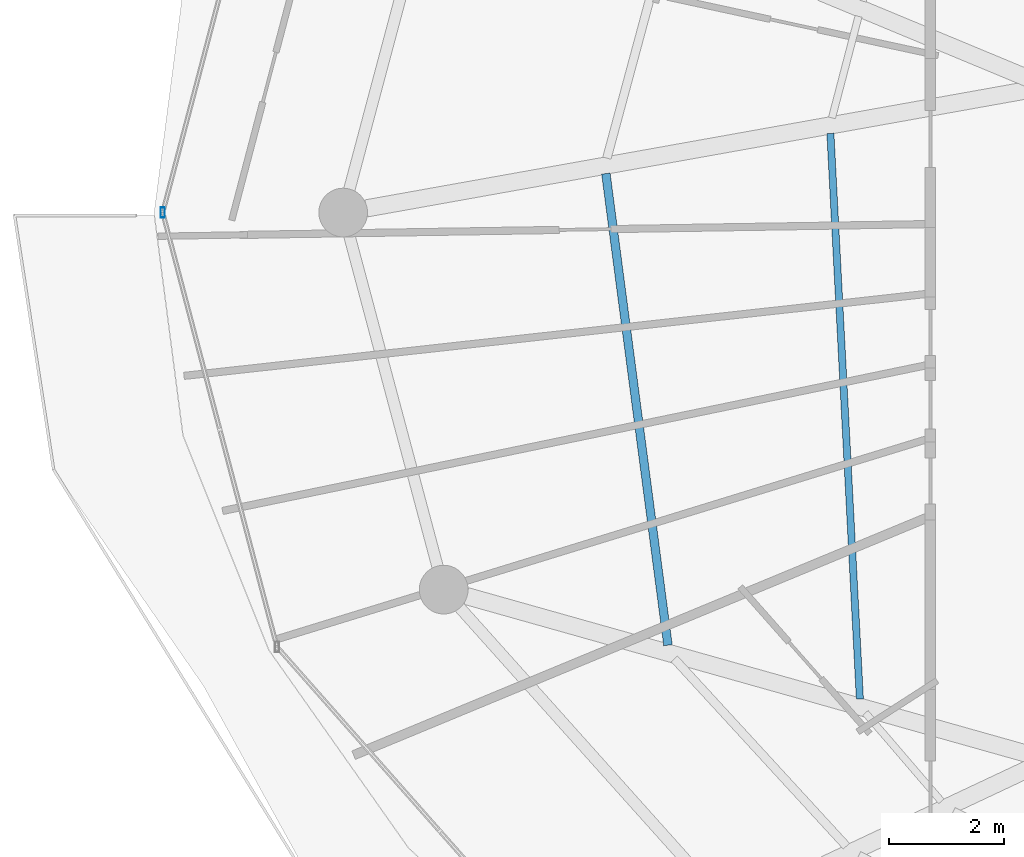
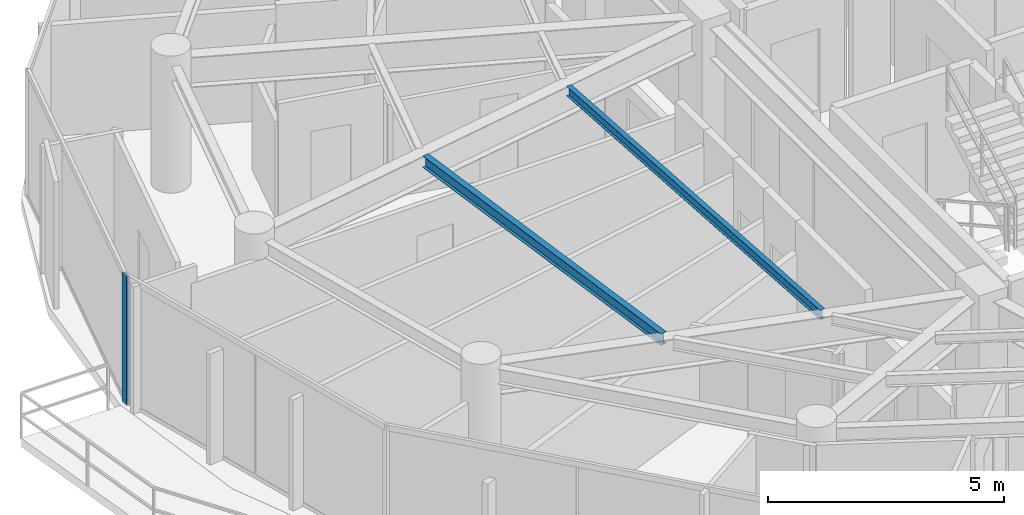
# One storey, part 7 of 31: 2 beams, 1 member, 1 element without a shape of its own.
"""IFC4 building model written with IfcOpenShell, lengths in metres."""

from ifc_helpers import new_model, si_unit, direction, frame, origin, origin_2d, place, context, subcontext, project, spatial, hollow_rectangle, i_section, extrude, material, material_profile, profile_set, type_object, element, aggregate, save


model = new_model("IFC4")

# Units and contexts
model_context = context("Model", 3, precision=1e-05, world=origin(), true_north=direction((0.0, 1.0)))
body_context = subcontext(model_context, "Body", "Model", "MODEL_VIEW")
ifc_project = project(units=[si_unit("LENGTHUNIT", "METRE"), si_unit("AREAUNIT", "SQUARE_METRE"), si_unit("VOLUMEUNIT", "CUBIC_METRE"), si_unit("PLANEANGLEUNIT", "RADIAN"), si_unit("MASSUNIT", "GRAM", prefix="KILO")], contexts=[model_context])

# Site, building, storey
site_placement = place(None, origin())
site = spatial("IfcSite", under=ifc_project, at=site_placement, CompositionType="ELEMENT")
building_placement = place(site_placement, origin())
building = spatial("IfcBuilding", under=site, at=building_placement, Name="Vorneva Point Tower", CompositionType="ELEMENT")
storey_placement = place(building_placement, frame((0.0, 0.0, 248.449951171875)))
storey = spatial("IfcBuildingStorey", under=building, at=storey_placement, Name="L67", CompositionType="ELEMENT", Elevation=248.449951171875)

# Beams
ifc_material_1 = material(Name="Steel S355", Category="steel")
ifc_material_profile_1 = material_profile(ifc_material_1, i_section(OverallWidth=0.1240234375, OverallDepth=0.248046875, WebThickness=0.0048828125, FlangeThickness=0.008056640625, at=origin_2d()), Name="25B1")
ifc_profile_set_1 = profile_set([ifc_material_profile_1], Name="Steel S355")
beam_type_1 = type_object("IfcBeamType", Name="BM-JST-25B1", PredefinedType="JOIST", material=ifc_profile_set_1)
beam_1_placement = place(storey_placement, frame((23.454833984375, 27.382080078125, 3.166015625), z_axis=(0.052055932544, -0.998644170807, 0.0), x_axis=(0.998644170807, 0.052055932544, 0.0)))
element("IfcBeam", 1, at=beam_1_placement, inside=storey, type_object=beam_type_1, Name="L67 Secondary Floor Beam 2.09", PredefinedType="JOIST", context=body_context, shape_type="SweptSolid", body=[
    extrude(i_section(OverallWidth=0.1240234375, OverallDepth=0.248046875, WebThickness=0.0048828125, FlangeThickness=0.008056640625, at=origin_2d()), origin(), (0.0, 0.0, 1.0), 9.886474609375),
])
ifc_material_profile_2 = material_profile(ifc_material_1, i_section(OverallWidth=0.14892578125, OverallDepth=0.298095703125, WebThickness=0.005615234375, FlangeThickness=0.008056640625, at=origin_2d()), Name="30B1")
ifc_profile_set_2 = profile_set([ifc_material_profile_2], Name="Steel S355")
beam_type_2 = type_object("IfcBeamType", Name="BM-JST-30B1", PredefinedType="JOIST", material=ifc_profile_set_2)
beam_2_placement = place(storey_placement, frame((19.53564453125, 26.68017578125, 3.14111328125), z_axis=(0.13054578094, -0.991442282273, 0.0), x_axis=(0.991442282273, 0.13054578094, 0.0)))
element("IfcBeam", 2, at=beam_2_placement, inside=storey, type_object=beam_type_2, Name="L67 Secondary Floor Beam 1.09", PredefinedType="JOIST", context=body_context, shape_type="SweptSolid", body=[
    extrude(i_section(OverallWidth=0.14892578125, OverallDepth=0.298095703125, WebThickness=0.005615234375, FlangeThickness=0.008056640625, at=origin_2d()), origin(), (0.0, 0.0, 1.0), 8.303466796875),
])

# Curtain wall, member
ifc_material_2 = material(Name="Pale anodised aluminium", Category="aluminium")
curtain_wall_type = type_object("IfcCurtainWallType", Name="CW-RES-SYS", PredefinedType="NOTDEFINED", material=ifc_material_2)
curtain_wall_placement = place(storey_placement, origin())
curtain_wall = element("IfcCurtainWall", 3, at=curtain_wall_placement, inside=storey, type_object=curtain_wall_type, Name="L67 Unitised Curtain Wall CW-L67-R03", PredefinedType="NOTDEFINED")
ifc_material_profile_3 = material_profile(ifc_material_2, hollow_rectangle(XDim=0.074951171875, YDim=0.179931640625, WallThickness=0.00390625, at=origin_2d()), Name="AL-MUL 180x75x4")
ifc_profile_set_3 = profile_set([ifc_material_profile_3], Name="Pale anodised aluminium")
member_type = type_object("IfcMemberType", Name="CW-MUL-180", PredefinedType="MULLION", material=ifc_profile_set_3)
member_placement = place(storey_placement, frame((11.800048828125, 26.0, -0.0400390625), z_axis=(0.0, 0.0, 1.0), x_axis=(1.0, 0.0, 0.0)))
member = element("IfcMember", 4, at=member_placement, type_object=member_type, Name="CW-L67-R03 Mullion 03", PredefinedType="MULLION", context=body_context, shape_type="SweptSolid", body=[
    extrude(hollow_rectangle(XDim=0.074951171875, YDim=0.179931640625, WallThickness=0.00390625, at=origin_2d()), origin(), (0.0, 0.0, 1.0), 3.360107421875),
])
aggregate(curtain_wall, [member])

save(model, "model.ifc")
